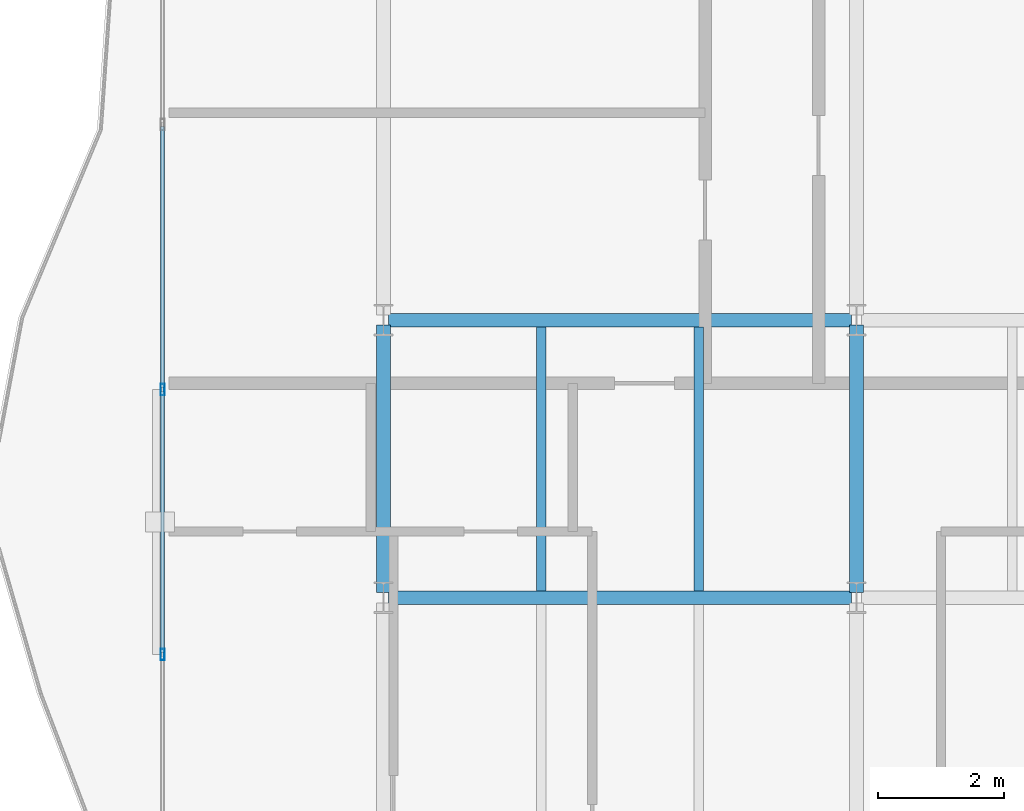
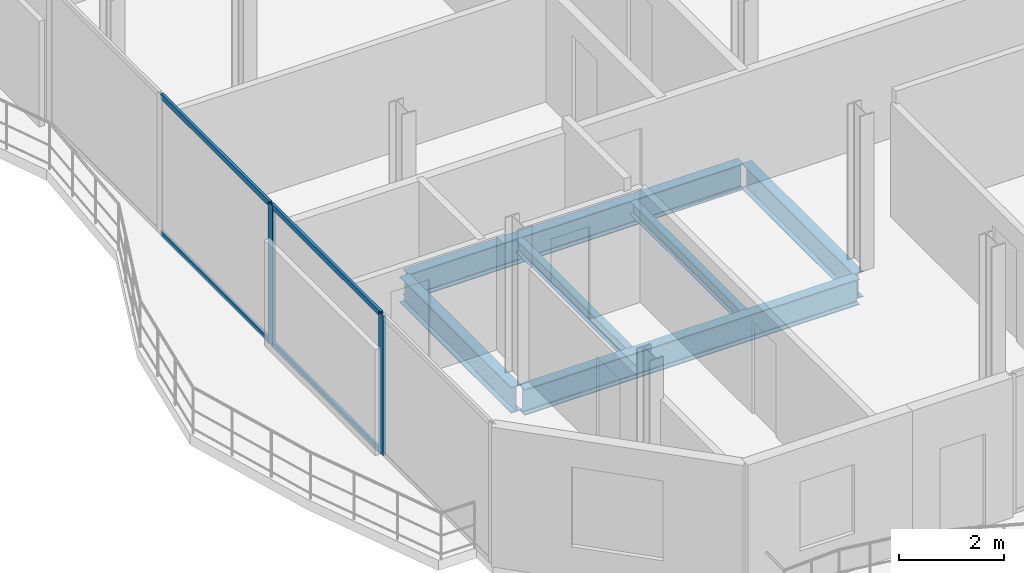
# One storey, part 5 of 23: 6 beams, 6 members, 1 element without a shape of its own.
"""IFC4 building model written with IfcOpenShell, lengths in metres."""

from ifc_helpers import new_model, si_unit, direction, frame, origin, origin_2d, place, context, subcontext, project, spatial, hollow_rectangle, i_section, extrude, material, layer, layer_set, material_profile, profile_set, type_object, element, aggregate, save


model = new_model("IFC4")

# Units and contexts
model_context = context("Model", 3, precision=1e-05, world=origin(), true_north=direction((0.0, 1.0)))
body_context = subcontext(model_context, "Body", "Model", "MODEL_VIEW")
ifc_project = project(units=[si_unit("LENGTHUNIT", "METRE"), si_unit("AREAUNIT", "SQUARE_METRE"), si_unit("VOLUMEUNIT", "CUBIC_METRE"), si_unit("PLANEANGLEUNIT", "RADIAN"), si_unit("MASSUNIT", "GRAM", prefix="KILO")], contexts=[model_context])

# Site, building, storey
site_placement = place(None, origin())
site = spatial("IfcSite", under=ifc_project, at=site_placement, CompositionType="ELEMENT")
building_placement = place(site_placement, origin())
building = spatial("IfcBuilding", under=site, at=building_placement, Name="Catumbela Crestline Tower", CompositionType="ELEMENT")
storey_placement = place(building_placement, frame((0.0, 0.0, 204.6)))
storey = spatial("IfcBuildingStorey", under=building, at=storey_placement, Name="L53", CompositionType="ELEMENT", Elevation=204.6)

# Beams
ifc_material_1 = material(Name="Structural steel S355J2", Category="steel")
ifc_material_profile_1 = material_profile(ifc_material_1, i_section(OverallWidth=0.22, OverallDepth=0.6, WebThickness=0.012, FlangeThickness=0.019, FilletRadius=0.024, at=origin_2d()), Name="IPE 600")
ifc_profile_set_1 = profile_set([ifc_material_profile_1], Name="Structural steel S355J2")
beam_type_1 = type_object("IfcBeamType", Name="BG-IPE600", PredefinedType="BEAM", material=ifc_profile_set_1)
for number, where, z_axis, x_axis, name in (
    (1, (8.58, 13.6, -0.56), (1.0, 0.0, 0.0), (0.0, 1.0, 0.0), "L53 Beam BM-L53-WEW33"),
    (2, (8.58, 18.0, -0.56), (1.0, 0.0, 0.0), (0.0, 1.0, 0.0), "L53 Beam BM-L53-WEW35"),
):
    element("IfcBeam", number, at=place(storey_placement, frame(where, z_axis=z_axis, x_axis=x_axis)), inside=storey, type_object=beam_type_1, Name=name, PredefinedType="BEAM", context=body_context, shape_type="SweptSolid", body=[
        extrude(i_section(OverallWidth=0.22, OverallDepth=0.6, WebThickness=0.012, FlangeThickness=0.019, FilletRadius=0.024, at=origin_2d()), origin(), (0.0, 0.0, 1.0), 7.34),
    ])
for number, where, z_axis, x_axis, name in (
    (3, (8.5, 13.68, -0.56), (0.0, 1.0, 0.0), (-1.0, 0.0, 0.0), "L53 Beam BM-L53-WNS38"),
    (4, (16.0, 13.68, -0.56), (0.0, 1.0, 0.0), (-1.0, 0.0, 0.0), "L53 Beam BM-L53-WNS41"),
):
    element("IfcBeam", number, at=place(storey_placement, frame(where, z_axis=z_axis, x_axis=x_axis)), inside=storey, type_object=beam_type_1, Name=name, PredefinedType="BEAM", context=body_context, shape_type="SweptSolid", body=[
        extrude(i_section(OverallWidth=0.22, OverallDepth=0.6, WebThickness=0.012, FlangeThickness=0.019, FilletRadius=0.024, at=origin_2d()), origin(), (0.0, 0.0, 1.0), 4.24),
    ])
ifc_material_profile_2 = material_profile(ifc_material_1, i_section(OverallWidth=0.15, OverallDepth=0.3, WebThickness=0.0071, FlangeThickness=0.0107, FilletRadius=0.015, at=origin_2d()), Name="IPE 300")
ifc_profile_set_2 = profile_set([ifc_material_profile_2], Name="Structural steel S355J2")
beam_type_2 = type_object("IfcBeamType", Name="BJ-IPE300", PredefinedType="JOIST", material=ifc_profile_set_2)
for number, where, z_axis, x_axis, name in (
    (5, (11.0, 13.71, -0.41), (0.0, 1.0, 0.0), (-1.0, 0.0, 0.0), "L53 Joist JS-L53-WG46"),
    (6, (13.5, 13.71, -0.41), (0.0, 1.0, 0.0), (-1.0, 0.0, 0.0), "L53 Joist JS-L53-WG47"),
):
    element("IfcBeam", number, at=place(storey_placement, frame(where, z_axis=z_axis, x_axis=x_axis)), inside=storey, type_object=beam_type_2, Name=name, PredefinedType="JOIST", context=body_context, shape_type="SweptSolid", body=[
        extrude(i_section(OverallWidth=0.15, OverallDepth=0.3, WebThickness=0.0071, FlangeThickness=0.0107, FilletRadius=0.015, at=origin_2d()), origin(), (0.0, 0.0, 1.0), 4.18),
    ])

# Curtain wall, members
ifc_material_2 = material(Name="Aluminium alloy AW-6060-T66", Category="aluminium")
ifc_layer = layer(ifc_material_2, 0.18, Name="Aluminium alloy AW-6060-T66")
ifc_layer_set = layer_set([ifc_layer], Name="Aluminium alloy AW-6060-T66")
curtain_wall_type = type_object("IfcCurtainWallType", Name="CWU-Z3", PredefinedType="USERDEFINED", material=ifc_layer_set)
curtain_wall_placement = place(storey_placement, origin())
curtain_wall = element("IfcCurtainWall", 7, at=curtain_wall_placement, inside=storey, type_object=curtain_wall_type, Name="L53 Unitised Curtain Wall CW-L53-E9S2", ObjectType="UNITISED", PredefinedType="USERDEFINED")
ifc_material_profile_3 = material_profile(ifc_material_2, hollow_rectangle(XDim=0.065, YDim=0.18, WallThickness=0.004, at=origin_2d()), Name="ALU 180x65x4")
ifc_profile_set_3 = profile_set([ifc_material_profile_3], Name="Aluminium alloy AW-6060-T66")
member_type_1 = type_object("IfcMemberType", Name="MUL-180X65", PredefinedType="MULLION", material=ifc_profile_set_3)
member_1_placement = place(storey_placement, frame((5.0, 16.9, 0.0), z_axis=(0.0, 0.0, 1.0), x_axis=(1.0, 0.0, 0.0)))
member_1 = element("IfcMember", 8, at=member_1_placement, type_object=member_type_1, Name="CWU-Z3 mullion 5", PredefinedType="MULLION", context=body_context, shape_type="SweptSolid", body=[
    extrude(hollow_rectangle(XDim=0.065, YDim=0.18, WallThickness=0.004, at=origin_2d()), origin(), (0.0, 0.0, 1.0), 3.24),
])
member_2_placement = place(storey_placement, frame((5.0, 12.7, 0.0), z_axis=(0.0, 0.0, 1.0), x_axis=(1.0, 0.0, 0.0)))
member_2 = element("IfcMember", 9, at=member_2_placement, type_object=member_type_1, Name="CWU-Z3 mullion 6", PredefinedType="MULLION", context=body_context, shape_type="SweptSolid", body=[
    extrude(hollow_rectangle(XDim=0.065, YDim=0.18, WallThickness=0.004, at=origin_2d()), origin(), (0.0, 0.0, 1.0), 3.24),
])
ifc_material_profile_4 = material_profile(ifc_material_2, hollow_rectangle(XDim=0.06, YDim=0.12, WallThickness=0.0035, at=origin_2d()), Name="ALU 120x60x3.5")
ifc_profile_set_4 = profile_set([ifc_material_profile_4], Name="Aluminium alloy AW-6060-T66")
member_type_2 = type_object("IfcMemberType", Name="TRN-120X60", PredefinedType="USERDEFINED", material=ifc_profile_set_4)
member_3_placement = place(storey_placement, frame((5.0, 21.0675, 0.03), z_axis=(0.0, -1.0, 0.0), x_axis=(1.0, 0.0, 0.0)))
member_3 = element("IfcMember", 10, at=member_3_placement, type_object=member_type_2, Name="CWU-Z3 transom 4.1", ObjectType="TRANSOM", PredefinedType="USERDEFINED", context=body_context, shape_type="SweptSolid", body=[
    extrude(hollow_rectangle(XDim=0.06, YDim=0.12, WallThickness=0.0035, at=origin_2d()), origin(), (0.0, 0.0, 1.0), 4.135),
])
member_4_placement = place(storey_placement, frame((5.0, 21.0675, 3.21), z_axis=(0.0, -1.0, 0.0), x_axis=(1.0, 0.0, 0.0)))
member_4 = element("IfcMember", 11, at=member_4_placement, type_object=member_type_2, Name="CWU-Z3 transom 4.2", ObjectType="TRANSOM", PredefinedType="USERDEFINED", context=body_context, shape_type="SweptSolid", body=[
    extrude(hollow_rectangle(XDim=0.06, YDim=0.12, WallThickness=0.0035, at=origin_2d()), origin(), (0.0, 0.0, 1.0), 4.135),
])
member_5_placement = place(storey_placement, frame((5.0, 16.8675, 0.03), z_axis=(0.0, -1.0, 0.0), x_axis=(1.0, 0.0, 0.0)))
member_5 = element("IfcMember", 12, at=member_5_placement, type_object=member_type_2, Name="CWU-Z3 transom 5.1", ObjectType="TRANSOM", PredefinedType="USERDEFINED", context=body_context, shape_type="SweptSolid", body=[
    extrude(hollow_rectangle(XDim=0.06, YDim=0.12, WallThickness=0.0035, at=origin_2d()), origin(), (0.0, 0.0, 1.0), 4.135),
])
member_6_placement = place(storey_placement, frame((5.0, 16.8675, 3.21), z_axis=(0.0, -1.0, 0.0), x_axis=(1.0, 0.0, 0.0)))
member_6 = element("IfcMember", 13, at=member_6_placement, type_object=member_type_2, Name="CWU-Z3 transom 5.2", ObjectType="TRANSOM", PredefinedType="USERDEFINED", context=body_context, shape_type="SweptSolid", body=[
    extrude(hollow_rectangle(XDim=0.06, YDim=0.12, WallThickness=0.0035, at=origin_2d()), origin(), (0.0, 0.0, 1.0), 4.135),
])
aggregate(curtain_wall, [member_1, member_2, member_3, member_4, member_5, member_6])

save(model, "model.ifc")
